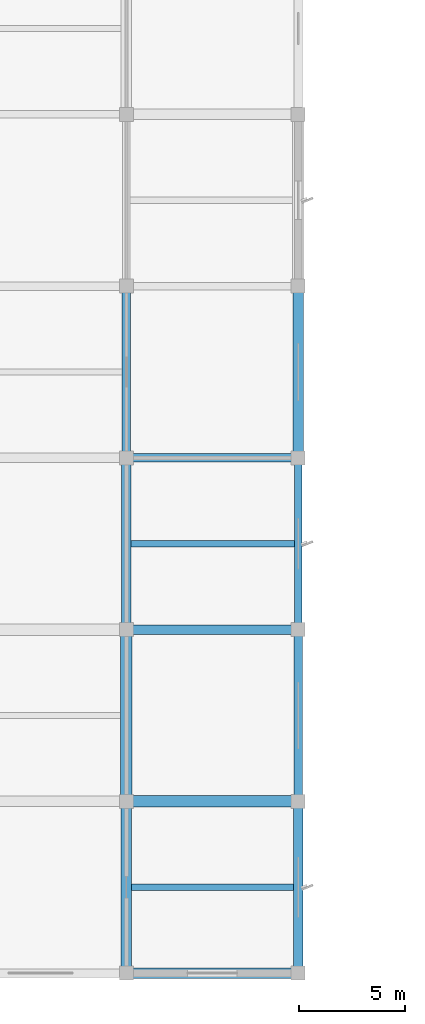
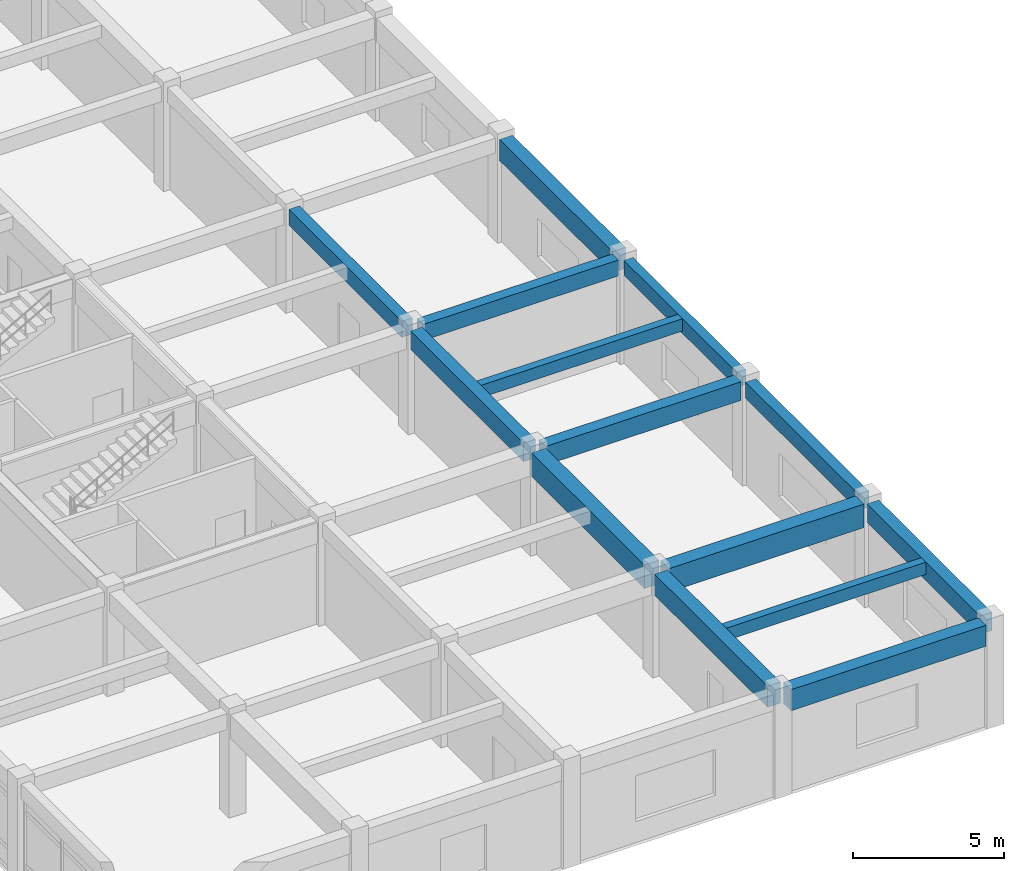
# One storey, part 14 of 40: 14 beams.
"""IFC4 building model written with IfcOpenShell, lengths in metres."""

from ifc_helpers import new_model, si_unit, direction, frame, origin, origin_2d, place, context, subcontext, project, spatial, rectangle, extrude, material, material_profile, profile_set, type_object, element, save


model = new_model("IFC4")

# Units and contexts
model_context = context("Model", 3, precision=1e-05, world=origin(), true_north=direction((0.0, 1.0)))
body_context = subcontext(model_context, "Body", "Model", "MODEL_VIEW")
ifc_project = project(units=[si_unit("LENGTHUNIT", "METRE"), si_unit("AREAUNIT", "SQUARE_METRE"), si_unit("VOLUMEUNIT", "CUBIC_METRE"), si_unit("PLANEANGLEUNIT", "RADIAN"), si_unit("MASSUNIT", "GRAM", prefix="KILO")], contexts=[model_context])

# Site, building, storey
site_placement = place(None, origin())
site = spatial("IfcSite", under=ifc_project, at=site_placement, CompositionType="ELEMENT")
building_placement = place(site_placement, origin())
building = spatial("IfcBuilding", under=site, at=building_placement, Name="Vaudrelin Polytechnic", CompositionType="ELEMENT")
storey_placement = place(building_placement, frame((0.0, 0.0, 22.949951171875)))
storey = spatial("IfcBuildingStorey", under=building, at=storey_placement, Name="L05", CompositionType="ELEMENT", Elevation=22.949951171875)

# Beams
ifc_material_1 = material(Name="Concrete 40 MPa", Category="concrete")
ifc_material_profile_1 = material_profile(ifc_material_1, rectangle(XDim=0.35009765625, YDim=0.60009765625, at=origin_2d()), Name="RC350x600")
ifc_profile_set_1 = profile_set([ifc_material_profile_1], Name="Concrete 40 MPa")
beam_type_1 = type_object("IfcBeamType", Name="BM-BM-RC3560", PredefinedType="BEAM", material=ifc_profile_set_1)
beam_1_placement = place(storey_placement, frame((170.10009765625, 32.7099609375, 3.860107421875), z_axis=(0.0, 1.0, 0.0), x_axis=(-1.0, 0.0, 0.0)))
element("IfcBeam", 1, at=beam_1_placement, inside=storey, type_object=beam_type_1, Name="L05 Y-beam 22-5", PredefinedType="BEAM", context=body_context, shape_type="SweptSolid", body=[
    extrude(rectangle(XDim=0.35009765625, YDim=0.60009765625, at=origin_2d()), origin(), (0.0, 0.0, 1.0), 7.47998046875),
])
ifc_material_profile_2 = material_profile(ifc_material_1, rectangle(XDim=0.39990234375, YDim=0.64990234375, at=origin_2d()), Name="RC400x650")
ifc_profile_set_2 = profile_set([ifc_material_profile_2], Name="Concrete 40 MPa")
beam_type_2 = type_object("IfcBeamType", Name="BM-BM-RC4065", PredefinedType="BEAM", material=ifc_profile_set_2)
beam_2_placement = place(storey_placement, frame((162.0, 40.81005859375, 3.8349609375), z_axis=(0.0, 1.0, 0.0), x_axis=(-1.0, 0.0, 0.0)))
element("IfcBeam", 2, at=beam_2_placement, inside=storey, type_object=beam_type_2, Name="L05 Y-beam 21-6", PredefinedType="BEAM", context=body_context, shape_type="SweptSolid", body=[
    extrude(rectangle(XDim=0.39990234375, YDim=0.64990234375, at=origin_2d()), origin(), (0.0, 0.0, 1.0), 7.47998046875),
])
beam_3_placement = place(storey_placement, frame((162.321044921875, 40.5, 3.8349609375), z_axis=(1.0, 0.0, 0.0), x_axis=(0.0, 1.0, 0.0)))
element("IfcBeam", 3, at=beam_3_placement, inside=storey, type_object=beam_type_2, Name="L05 X-beam 21-6", PredefinedType="BEAM", context=body_context, shape_type="SweptSolid", body=[
    extrude(rectangle(XDim=0.39990234375, YDim=0.64990234375, at=origin_2d()), origin(), (0.0, 0.0, 1.0), 7.4580078125),
])
ifc_material_profile_3 = material_profile(ifc_material_1, rectangle(XDim=0.449951171875, YDim=0.75, at=origin_2d()), Name="RC450x750")
ifc_profile_set_3 = profile_set([ifc_material_profile_3], Name="Concrete 40 MPa")
beam_type_3 = type_object("IfcBeamType", Name="BM-BM-RC4575", PredefinedType="BEAM", material=ifc_profile_set_3)
for number, where, z_axis, x_axis, name in (
    (4, (162.0, 32.7099609375, 3.78515625), (0.0, 1.0, 0.0), (-1.0, 0.0, 0.0), "L05 Y-beam 21-5"),
    (5, (170.10009765625, 16.510009765625, 3.78515625), (0.0, 1.0, 0.0), (-1.0, 0.0, 0.0), "L05 Y-beam 22-3"),
):
    element("IfcBeam", number, at=place(storey_placement, frame(where, z_axis=z_axis, x_axis=x_axis)), inside=storey, type_object=beam_type_3, Name=name, PredefinedType="BEAM", context=body_context, shape_type="SweptSolid", body=[
        extrude(rectangle(XDim=0.449951171875, YDim=0.75, at=origin_2d()), origin(), (0.0, 0.0, 1.0), 7.47998046875),
    ])
beam_4_placement = place(storey_placement, frame((162.321044921875, 32.39990234375, 3.78515625), z_axis=(1.0, 0.0, 0.0), x_axis=(0.0, 1.0, 0.0)))
element("IfcBeam", 6, at=beam_4_placement, inside=storey, type_object=beam_type_3, Name="L05 X-beam 21-5", PredefinedType="BEAM", context=body_context, shape_type="SweptSolid", body=[
    extrude(rectangle(XDim=0.449951171875, YDim=0.75, at=origin_2d()), origin(), (0.0, 0.0, 1.0), 7.4580078125),
])
ifc_material_profile_4 = material_profile(ifc_material_1, rectangle(XDim=0.5, YDim=0.85009765625, at=origin_2d()), Name="RC500x850")
ifc_profile_set_4 = profile_set([ifc_material_profile_4], Name="Concrete 40 MPa")
beam_type_4 = type_object("IfcBeamType", Name="BM-BM-RC5085", PredefinedType="BEAM", material=ifc_profile_set_4)
for number, where, z_axis, x_axis, name in (
    (7, (162.0, 16.510009765625, 3.735107421875), (0.0, 1.0, 0.0), (-1.0, 0.0, 0.0), "L05 Y-beam 21-3"),
    (8, (170.10009765625, 40.81005859375, 3.735107421875), (0.0, 1.0, 0.0), (-1.0, 0.0, 0.0), "L05 Y-beam 22-6"),
):
    element("IfcBeam", number, at=place(storey_placement, frame(where, z_axis=z_axis, x_axis=x_axis)), inside=storey, type_object=beam_type_4, Name=name, PredefinedType="BEAM", context=body_context, shape_type="SweptSolid", body=[
        extrude(rectangle(XDim=0.5, YDim=0.85009765625, at=origin_2d()), origin(), (0.0, 0.0, 1.0), 7.47998046875),
    ])
beam_5_placement = place(storey_placement, frame((162.321044921875, 16.199951171875, 3.735107421875), z_axis=(1.0, 0.0, 0.0), x_axis=(0.0, 1.0, 0.0)))
element("IfcBeam", 9, at=beam_5_placement, inside=storey, type_object=beam_type_4, Name="L05 X-beam 21-3", PredefinedType="BEAM", context=body_context, shape_type="SweptSolid", body=[
    extrude(rectangle(XDim=0.5, YDim=0.85009765625, at=origin_2d()), origin(), (0.0, 0.0, 1.0), 7.4580078125),
])
ifc_material_2 = material(Name="Concrete 50 MPa", Category="concrete")
ifc_material_profile_5 = material_profile(ifc_material_2, rectangle(XDim=0.550048828125, YDim=0.949951171875, at=origin_2d()), Name="RC550x950")
ifc_profile_set_5 = profile_set([ifc_material_profile_5], Name="Concrete 50 MPa")
beam_type_5 = type_object("IfcBeamType", Name="BM-BM-RC5595", PredefinedType="BEAM", material=ifc_profile_set_5)
beam_6_placement = place(storey_placement, frame((162.0, 24.610107421875, 3.68505859375), z_axis=(0.0, 1.0, 0.0), x_axis=(-1.0, 0.0, 0.0)))
element("IfcBeam", 10, at=beam_6_placement, inside=storey, type_object=beam_type_5, Name="L05 Y-beam 21-4", PredefinedType="BEAM", context=body_context, shape_type="SweptSolid", body=[
    extrude(rectangle(XDim=0.550048828125, YDim=0.949951171875, at=origin_2d()), origin(), (0.0, 0.0, 1.0), 7.47998046875),
])
beam_7_placement = place(storey_placement, frame((162.321044921875, 24.300048828125, 3.68505859375), z_axis=(1.0, 0.0, 0.0), x_axis=(0.0, 1.0, 0.0)))
element("IfcBeam", 11, at=beam_7_placement, inside=storey, type_object=beam_type_5, Name="L05 X-beam 21-4", PredefinedType="BEAM", context=body_context, shape_type="SweptSolid", body=[
    extrude(rectangle(XDim=0.550048828125, YDim=0.949951171875, at=origin_2d()), origin(), (0.0, 0.0, 1.0), 7.4580078125),
])
ifc_material_profile_6 = material_profile(ifc_material_1, rectangle(XDim=0.300048828125, YDim=0.5, at=origin_2d()), Name="RC300x500")
ifc_profile_set_6 = profile_set([ifc_material_profile_6], Name="Concrete 40 MPa")
beam_type_6 = type_object("IfcBeamType", Name="BM-JS-RC3050", PredefinedType="JOIST", material=ifc_profile_set_6)
beam_8_placement = place(storey_placement, frame((162.24609375, 20.25, 3.91015625), z_axis=(1.0, 0.0, 0.0), x_axis=(0.0, 1.0, 0.0)))
element("IfcBeam", 12, at=beam_8_placement, inside=storey, type_object=beam_type_6, Name="L05 floor joist 21-3", PredefinedType="JOIST", context=body_context, shape_type="SweptSolid", body=[
    extrude(rectangle(XDim=0.300048828125, YDim=0.5, at=origin_2d()), origin(), (0.0, 0.0, 1.0), 7.6328125),
])
beam_9_placement = place(storey_placement, frame((162.220947265625, 36.449951171875, 3.91015625), z_axis=(1.0, 0.0, 0.0), x_axis=(0.0, 1.0, 0.0)))
element("IfcBeam", 13, at=beam_9_placement, inside=storey, type_object=beam_type_6, Name="L05 floor joist 21-5", PredefinedType="JOIST", context=body_context, shape_type="SweptSolid", body=[
    extrude(rectangle(XDim=0.300048828125, YDim=0.5, at=origin_2d()), origin(), (0.0, 0.0, 1.0), 7.7080078125),
])
ifc_material_profile_7 = material_profile(ifc_material_1, rectangle(XDim=0.39990234375, YDim=0.64990234375, at=origin_2d()), Name="RC400x650")
ifc_profile_set_7 = profile_set([ifc_material_profile_7], Name="Concrete 40 MPa")
beam_type_7 = type_object("IfcBeamType", Name="BM-SP-RC4065", PredefinedType="SPANDREL", material=ifc_profile_set_7)
beam_10_placement = place(storey_placement, frame((170.10009765625, 24.610107421875, 3.8349609375), z_axis=(0.0, 1.0, 0.0), x_axis=(-1.0, 0.0, 0.0)))
element("IfcBeam", 14, at=beam_10_placement, inside=storey, type_object=beam_type_7, Name="L05 Y-beam 22-4", PredefinedType="SPANDREL", context=body_context, shape_type="SweptSolid", body=[
    extrude(rectangle(XDim=0.39990234375, YDim=0.64990234375, at=origin_2d()), origin(), (0.0, 0.0, 1.0), 7.47998046875),
])

save(model, "model.ifc")
